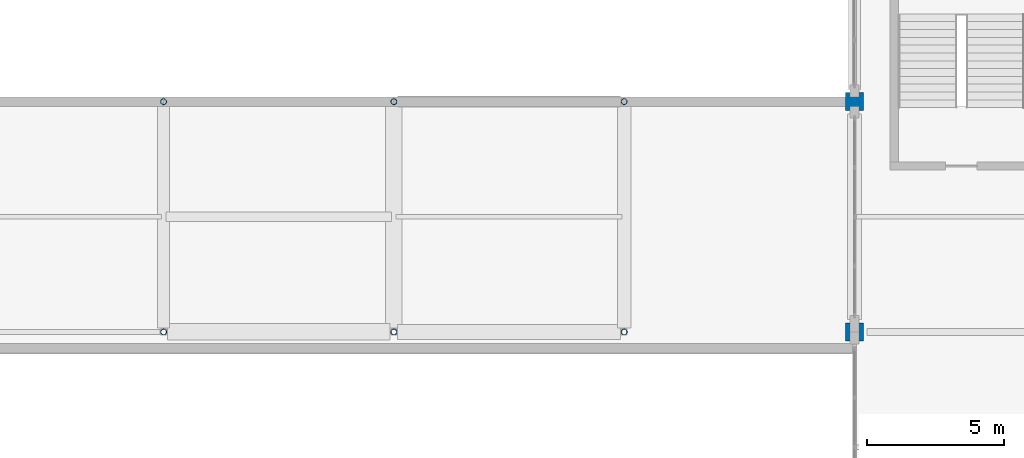
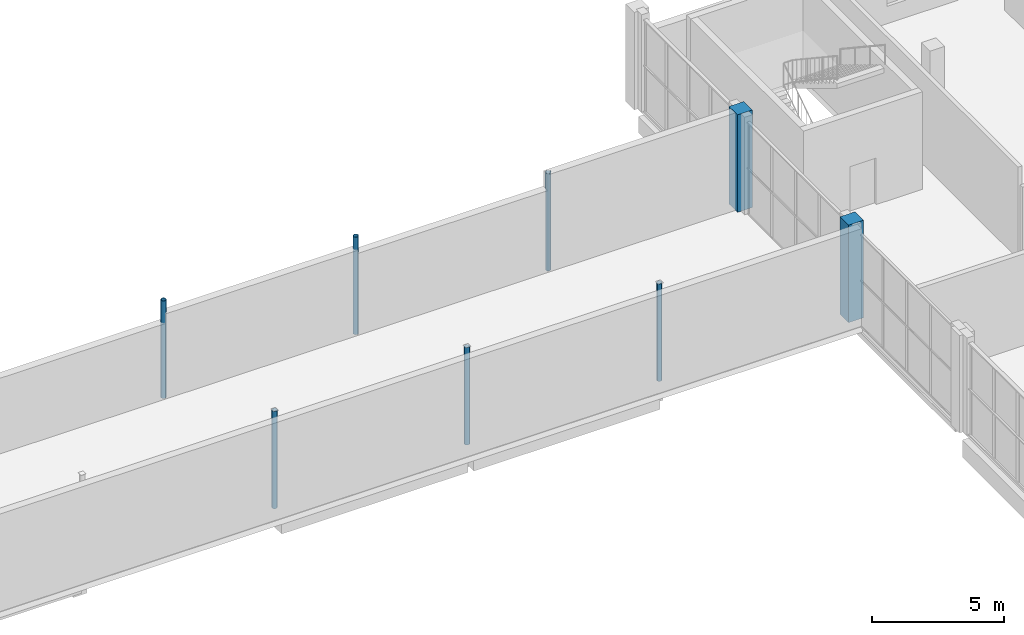
# One storey, part 13 of 75: 8 columns.
"""IFC4 building model written with IfcOpenShell, lengths in metres."""

from ifc_helpers import new_model, si_unit, derived_unit, direction, frame, origin, origin_2d, place, context, subcontext, project, spatial, rectangle, hollow_circle, extrude, material, material_profile, profile_set, type_object, element, save


model = new_model("IFC4")

# Units and contexts
model_context = context("Model", 3, precision=1e-05, world=origin(), true_north=direction((0.0, 1.0)))
body_context = subcontext(model_context, "Body", "Model", "MODEL_VIEW")
ifc_project = project(units=[si_unit("LENGTHUNIT", "METRE"), si_unit("AREAUNIT", "SQUARE_METRE"), si_unit("VOLUMEUNIT", "CUBIC_METRE"), si_unit("PLANEANGLEUNIT", "RADIAN"), si_unit("MASSUNIT", "GRAM", prefix="KILO"), derived_unit("THERMALTRANSMITTANCEUNIT", [(si_unit("POWERUNIT", "WATT"), 1), (si_unit("LENGTHUNIT", "METRE"), -2), (si_unit("THERMODYNAMICTEMPERATUREUNIT", "KELVIN"), -1)])], contexts=[model_context])

# Site, building, storey
site_placement = place(None, origin())
site = spatial("IfcSite", under=ifc_project, at=site_placement, CompositionType="ELEMENT")
building_placement = place(site_placement, origin())
building = spatial("IfcBuilding", under=site, at=building_placement, Name="Barrovel Congress Hotel", CompositionType="ELEMENT")
storey_placement = place(building_placement, frame((0.0, 0.0, 5.39990234375)))
storey = spatial("IfcBuildingStorey", under=building, at=storey_placement, Name="L01", CompositionType="ELEMENT", Elevation=5.39990234375)

# Columns
ifc_material_1 = material(Name="Concrete C40", Category="concrete")
ifc_material_profile_1 = material_profile(ifc_material_1, rectangle(XDim=0.64990234375, YDim=0.64990234375, at=origin_2d()), Name="RC650x650")
ifc_profile_set_1 = profile_set([ifc_material_profile_1], Name="Concrete C40")
column_type_1 = type_object("IfcColumnType", Name="COL-RC650x650", PredefinedType="COLUMN", material=ifc_profile_set_1)
for number, where, z_axis, x_axis, name in (
    (1, (126.0, 96.60009765625, 0.0), (0.0, 0.0, 1.0), (1.0, 0.0, 0.0), "COL:L01:126.0:96.6"),
    (2, (126.0, 105.0, 0.0), (0.0, 0.0, 1.0), (1.0, 0.0, 0.0), "COL:L01:126.0:105.0"),
):
    element("IfcColumn", number, at=place(storey_placement, frame(where, z_axis=z_axis, x_axis=x_axis)), inside=storey, type_object=column_type_1, Name=name, PredefinedType="COLUMN", context=body_context, shape_type="SweptSolid", body=[
        extrude(rectangle(XDim=0.64990234375, YDim=0.64990234375, at=origin_2d()), origin(), (0.0, 0.0, 1.0), 4.5),
    ])
ifc_material_2 = material(Name="Steel ASTM A500 Grade C", Category="steel")
ifc_material_profile_2 = material_profile(ifc_material_2, hollow_circle(Radius=0.109619140625, WallThickness=0.0087890625, at=origin_2d()), Name="CHS219.1x9.5")
ifc_profile_set_2 = profile_set([ifc_material_profile_2], Name="Steel ASTM A500 Grade C")
column_type_2 = type_object("IfcColumnType", Name="SCOL-CHS219.1x9.5", PredefinedType="COLUMN", material=ifc_profile_set_2)
for number, where, z_axis, x_axis, name in (
    (3, (100.800048828125, 96.60009765625, 0.0), (0.0, 0.0, 1.0), (1.0, 0.0, 0.0), "COL:L01:100.8:96.6"),
    (4, (100.800048828125, 105.0, 0.0), (0.0, 0.0, 1.0), (1.0, 0.0, 0.0), "COL:L01:100.8:105.0"),
    (5, (109.199951171875, 96.60009765625, 0.0), (0.0, 0.0, 1.0), (1.0, 0.0, 0.0), "COL:L01:109.2:96.6"),
    (6, (109.199951171875, 105.0, 0.0), (0.0, 0.0, 1.0), (1.0, 0.0, 0.0), "COL:L01:109.2:105.0"),
    (7, (117.60009765625, 96.60009765625, 0.0), (0.0, 0.0, 1.0), (1.0, 0.0, 0.0), "COL:L01:117.6:96.6"),
    (8, (117.60009765625, 105.0, 0.0), (0.0, 0.0, 1.0), (1.0, 0.0, 0.0), "COL:L01:117.6:105.0"),
):
    element("IfcColumn", number, at=place(storey_placement, frame(where, z_axis=z_axis, x_axis=x_axis)), inside=storey, type_object=column_type_2, Name=name, PredefinedType="COLUMN", context=body_context, shape_type="SweptSolid", body=[
        extrude(hollow_circle(Radius=0.109619140625, WallThickness=0.0087890625, at=origin_2d()), origin(), (0.0, 0.0, 1.0), 4.5),
    ])

save(model, "model.ifc")
